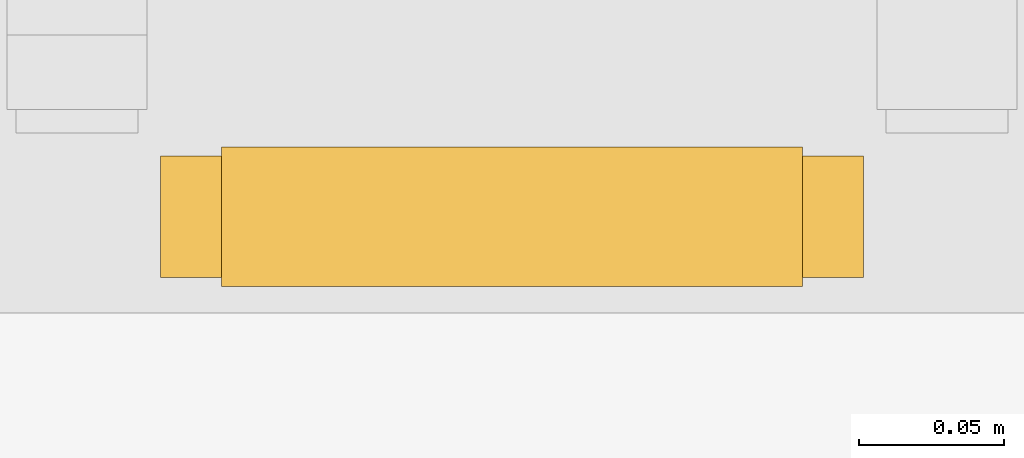
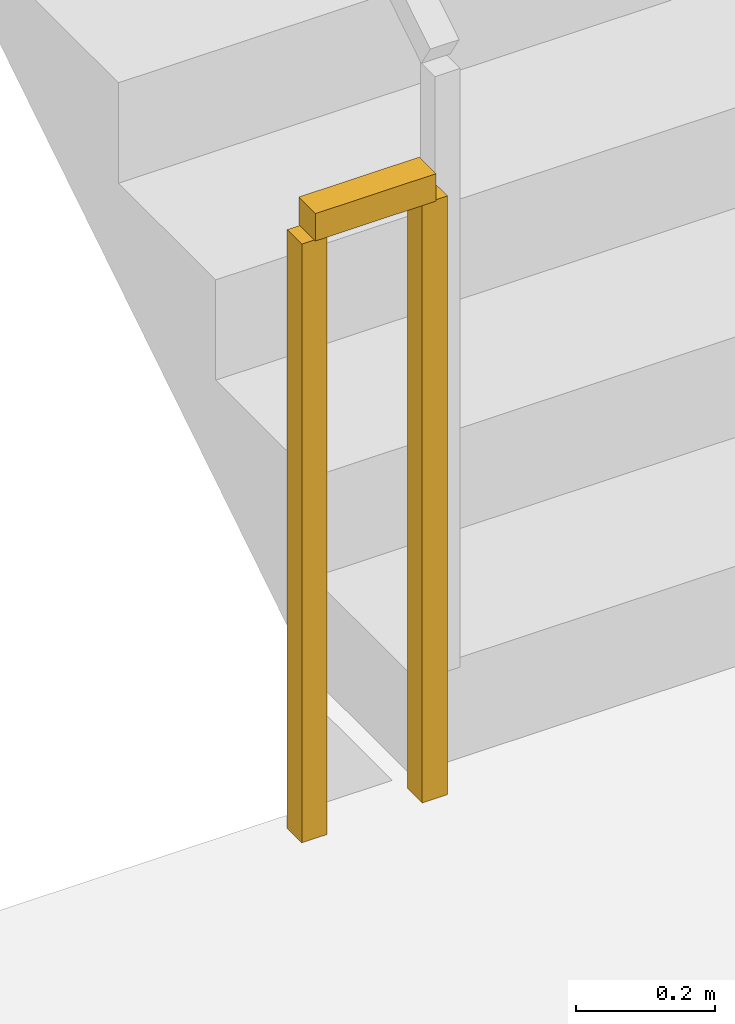
# One storey, part 15 of 21: 1 railing.
"""IFC4 building model written with IfcOpenShell, lengths in metres."""

from ifc_helpers import new_model, si_unit, direction, frame, origin, origin_2d, place, context, subcontext, project, spatial, rectangle, extrude, material, type_object, element, save


model = new_model("IFC4")

# Units and contexts
model_context = context("Model", 3, precision=1e-05, world=origin(), true_north=direction((0.0, 1.0)))
body_context = subcontext(model_context, "Body", "Model", "MODEL_VIEW")
ifc_project = project(units=[si_unit("LENGTHUNIT", "METRE"), si_unit("AREAUNIT", "SQUARE_METRE"), si_unit("VOLUMEUNIT", "CUBIC_METRE"), si_unit("PLANEANGLEUNIT", "RADIAN"), si_unit("MASSUNIT", "GRAM", prefix="KILO")], contexts=[model_context])

# Site, building, storey
site_placement = place(None, origin())
site = spatial("IfcSite", under=ifc_project, at=site_placement, CompositionType="ELEMENT")
building_placement = place(site_placement, origin())
building = spatial("IfcBuilding", under=site, at=building_placement, Name="Haldorwick Loom Tower", CompositionType="ELEMENT")
storey_placement = place(building_placement, origin())
storey = spatial("IfcBuildingStorey", under=building, at=storey_placement, Name="L00", CompositionType="ELEMENT", Elevation=0.0)

# Railing
ifc_material = material(Name="Steel CSA G40.21 350W", Category="steel")
railing_type = type_object("IfcRailingType", Name="ARC-RLG-GUARD112", PredefinedType="GUARDRAIL", material=ifc_material)
railing_placement = place(storey_placement, frame((31.85009765625, 28.35009765625, 0.0)))
element("IfcRailing", 1, at=railing_placement, inside=storey, type_object=railing_type, Name="L00 ST-03 stair guard 4", PredefinedType="GUARDRAIL", context=body_context, shape_type="SweptSolid", body=[
    extrude(rectangle(XDim=0.048095703125, YDim=0.048095703125, at=origin_2d()), frame((0.0, 0.0, 1.076171875), z_axis=(-1.0, 0.0, 0.0), x_axis=(0.0, -1.0, 0.0)), (0.0, 0.0, 1.0), 0.2001953125),
    extrude(rectangle(XDim=0.0419921875, YDim=0.0419921875, at=origin_2d()), origin(), (0.0, 0.0, 1.0), 1.052001953125),
    extrude(rectangle(XDim=0.0419921875, YDim=0.0419921875, at=origin_2d()), frame((-0.2001953125, 0.0, 0.0)), (0.0, 0.0, 1.0), 1.052001953125),
])

save(model, "model.ifc")
